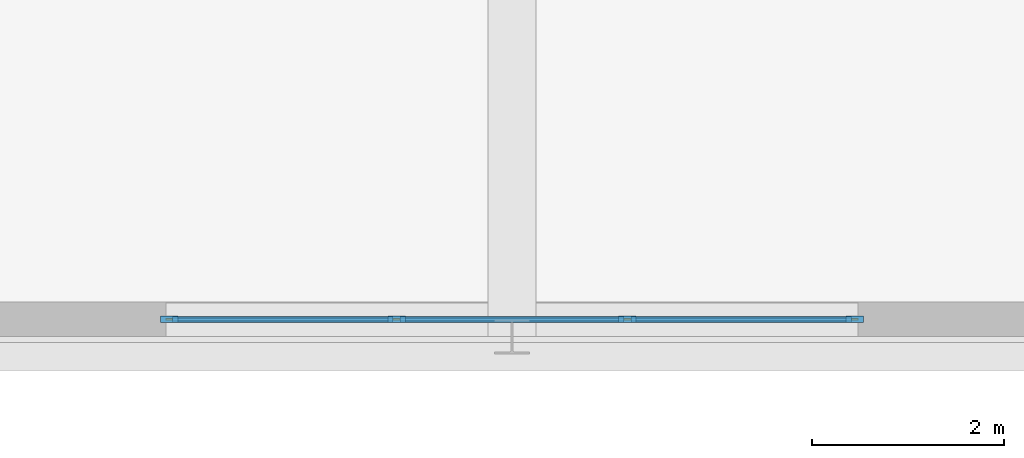
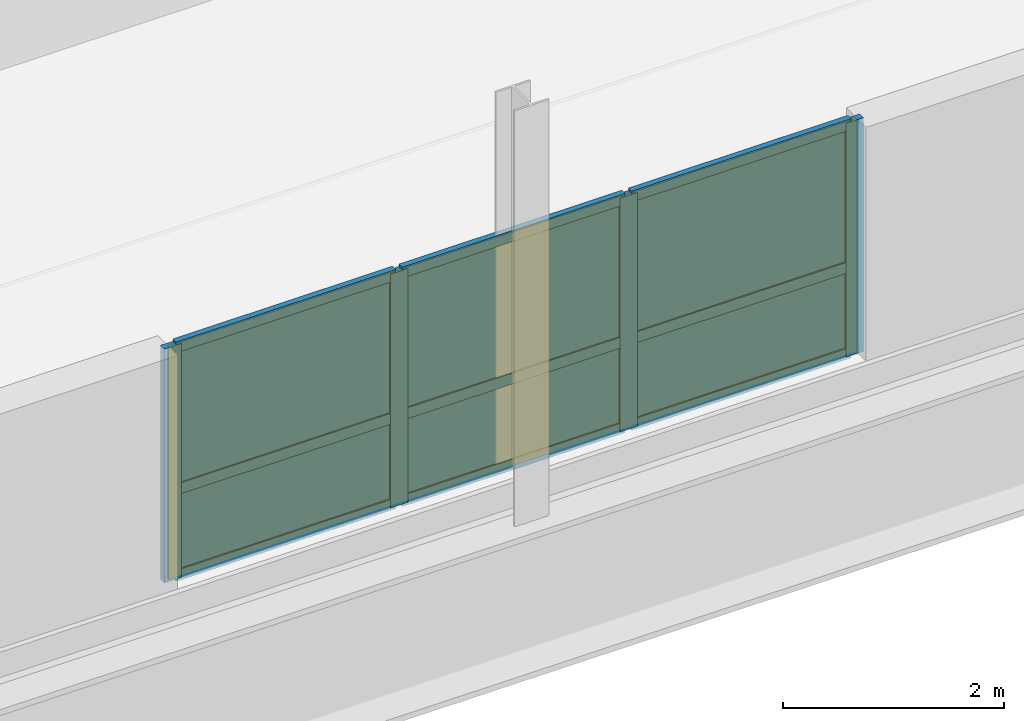
# One storey, part 10 of 17: 13 members, 6 plates, 1 curtain wall.
"""IFC4 building model written with IfcOpenShell, lengths in metres."""

from ifc_helpers import new_model, si_unit, direction, frame, frame_2d, origin, origin_2d, place, context, subcontext, project, spatial, rectangle, extrude, source, transform, mapped, material, layer, layer_set, material_profile, profile_set, type_object, type_shapes, element, aggregate, save


model = new_model("IFC4")

# Units and contexts
model_context = context("Model", 3, precision=1e-05, world=origin(), true_north=direction((0.0, 1.0)))
body_context = subcontext(model_context, "Body", "Model", "MODEL_VIEW")
ifc_project = project(units=[si_unit("LENGTHUNIT", "METRE"), si_unit("AREAUNIT", "SQUARE_METRE"), si_unit("VOLUMEUNIT", "CUBIC_METRE"), si_unit("PLANEANGLEUNIT", "RADIAN"), si_unit("MASSUNIT", "GRAM", prefix="KILO")], contexts=[model_context])

# Member
ifc_material_1 = material(Name="Anodised aluminium 6063-T6", Category="aluminium")
ifc_material_profile_1 = material_profile(ifc_material_1, rectangle(XDim=0.070068359375, YDim=0.179931640625, at=origin_2d()), Name="ALU-MULL-70x180")
ifc_profile_set_1 = profile_set([ifc_material_profile_1], Name="Anodised aluminium 6063-T6")
member_type_1 = type_object("IfcMemberType", Name="CWM-2", PredefinedType="MULLION", material=ifc_profile_set_1)
site_placement = place(None, origin())
building_placement = place(site_placement, origin())
storey_placement = place(building_placement, frame((0.0, 0.0, 18.39990234375)))
member_1_placement = place(storey_placement, frame((-3.56494140625, -25.820068359375, 0.0), z_axis=(0.0, 0.0, 1.0), x_axis=(0.0, 1.0, 0.0)))
member_1 = element("IfcMember", 1, at=member_1_placement, type_object=member_type_1, Name="CWS-2 mullion 1", PredefinedType="MULLION", context=body_context, shape_type="SweptSolid", body=[
    extrude(rectangle(XDim=0.070068359375, YDim=0.179931640625, at=origin_2d()), origin(), (0.0, 0.0, 1.0), 2.585205078125),
])

member_2_placement = place(storey_placement, frame((-1.199951171875, -25.820068359375, 0.0), z_axis=(0.0, 0.0, 1.0), x_axis=(0.0, 1.0, 0.0)))
member_2 = element("IfcMember", 2, at=member_2_placement, type_object=member_type_1, Name="CWS-2 mullion 2", PredefinedType="MULLION", context=body_context, shape_type="SweptSolid", body=[
    extrude(rectangle(XDim=0.070068359375, YDim=0.179931640625, at=origin_2d()), origin(), (0.0, 0.0, 1.0), 2.585205078125),
])

member_3_placement = place(storey_placement, frame((1.199951171875, -25.820068359375, 0.0), z_axis=(0.0, 0.0, 1.0), x_axis=(0.0, 1.0, 0.0)))
member_3 = element("IfcMember", 3, at=member_3_placement, type_object=member_type_1, Name="CWS-2 mullion 3", PredefinedType="MULLION", context=body_context, shape_type="SweptSolid", body=[
    extrude(rectangle(XDim=0.070068359375, YDim=0.179931640625, at=origin_2d()), origin(), (0.0, 0.0, 1.0), 2.585205078125),
])

member_4_placement = place(storey_placement, frame((3.56494140625, -25.820068359375, 0.0), z_axis=(0.0, 0.0, 1.0), x_axis=(0.0, 1.0, 0.0)))
member_4 = element("IfcMember", 4, at=member_4_placement, type_object=member_type_1, Name="CWS-2 mullion 4", PredefinedType="MULLION", context=body_context, shape_type="SweptSolid", body=[
    extrude(rectangle(XDim=0.070068359375, YDim=0.179931640625, at=origin_2d()), origin(), (0.0, 0.0, 1.0), 2.585205078125),
])

ifc_material_profile_2 = material_profile(ifc_material_1, rectangle(XDim=0.06005859375, YDim=0.1201171875, at=origin_2d()), Name="ALU-TRAN-60x120")
ifc_profile_set_2 = profile_set([ifc_material_profile_2], Name="Anodised aluminium 6063-T6")
member_type_2 = type_object("IfcMemberType", Name="CWT-2", PredefinedType="USERDEFINED", material=ifc_profile_set_2)
member_5_placement = place(storey_placement, frame((-3.530029296875, -25.820068359375, 0.030029296875), z_axis=(1.0, 0.0, 0.0), x_axis=(0.0, 1.0, 0.0)))
member_5 = element("IfcMember", 5, at=member_5_placement, type_object=member_type_2, Name="CWS-2 transom 1.1", ObjectType="TRANSOM", PredefinedType="USERDEFINED", context=body_context, shape_type="SweptSolid", body=[
    extrude(rectangle(XDim=0.06005859375, YDim=0.1201171875, at=origin_2d()), origin(), (0.0, 0.0, 1.0), 2.294921875),
])

member_6_placement = place(storey_placement, frame((-3.530029296875, -25.820068359375, 0.982421875), z_axis=(1.0, 0.0, 0.0), x_axis=(0.0, 1.0, 0.0)))
member_6 = element("IfcMember", 6, at=member_6_placement, type_object=member_type_2, Name="CWS-2 transom 1.2", ObjectType="TRANSOM", PredefinedType="USERDEFINED", context=body_context, shape_type="SweptSolid", body=[
    extrude(rectangle(XDim=0.06005859375, YDim=0.1201171875, at=origin_2d()), origin(), (0.0, 0.0, 1.0), 2.294921875),
])

member_7_placement = place(storey_placement, frame((-3.530029296875, -25.820068359375, 2.55517578125), z_axis=(1.0, 0.0, 0.0), x_axis=(0.0, 1.0, 0.0)))
member_7 = element("IfcMember", 7, at=member_7_placement, type_object=member_type_2, Name="CWS-2 transom 1.3", ObjectType="TRANSOM", PredefinedType="USERDEFINED", context=body_context, shape_type="SweptSolid", body=[
    extrude(rectangle(XDim=0.06005859375, YDim=0.1201171875, at=origin_2d()), origin(), (0.0, 0.0, 1.0), 2.294921875),
])

member_8_placement = place(storey_placement, frame((-1.1650390625, -25.820068359375, 0.030029296875), z_axis=(1.0, 0.0, 0.0), x_axis=(0.0, 1.0, 0.0)))
member_8 = element("IfcMember", 8, at=member_8_placement, type_object=member_type_2, Name="CWS-2 transom 2.1", ObjectType="TRANSOM", PredefinedType="USERDEFINED", context=body_context, shape_type="SweptSolid", body=[
    extrude(rectangle(XDim=0.06005859375, YDim=0.1201171875, at=origin_2d()), origin(), (0.0, 0.0, 1.0), 2.330078125),
])

member_9_placement = place(storey_placement, frame((-1.1650390625, -25.820068359375, 0.982421875), z_axis=(1.0, 0.0, 0.0), x_axis=(0.0, 1.0, 0.0)))
member_9 = element("IfcMember", 9, at=member_9_placement, type_object=member_type_2, Name="CWS-2 transom 2.2", ObjectType="TRANSOM", PredefinedType="USERDEFINED", context=body_context, shape_type="SweptSolid", body=[
    extrude(rectangle(XDim=0.06005859375, YDim=0.1201171875, at=origin_2d()), origin(), (0.0, 0.0, 1.0), 2.330078125),
])

member_10_placement = place(storey_placement, frame((-1.1650390625, -25.820068359375, 2.55517578125), z_axis=(1.0, 0.0, 0.0), x_axis=(0.0, 1.0, 0.0)))
member_10 = element("IfcMember", 10, at=member_10_placement, type_object=member_type_2, Name="CWS-2 transom 2.3", ObjectType="TRANSOM", PredefinedType="USERDEFINED", context=body_context, shape_type="SweptSolid", body=[
    extrude(rectangle(XDim=0.06005859375, YDim=0.1201171875, at=origin_2d()), origin(), (0.0, 0.0, 1.0), 2.330078125),
])

member_11_placement = place(storey_placement, frame((1.235107421875, -25.820068359375, 0.030029296875), z_axis=(1.0, 0.0, 0.0), x_axis=(0.0, 1.0, 0.0)))
member_11 = element("IfcMember", 11, at=member_11_placement, type_object=member_type_2, Name="CWS-2 transom 3.1", ObjectType="TRANSOM", PredefinedType="USERDEFINED", context=body_context, shape_type="SweptSolid", body=[
    extrude(rectangle(XDim=0.06005859375, YDim=0.1201171875, at=origin_2d()), origin(), (0.0, 0.0, 1.0), 2.294921875),
])

member_12_placement = place(storey_placement, frame((1.235107421875, -25.820068359375, 0.982421875), z_axis=(1.0, 0.0, 0.0), x_axis=(0.0, 1.0, 0.0)))
member_12 = element("IfcMember", 12, at=member_12_placement, type_object=member_type_2, Name="CWS-2 transom 3.2", ObjectType="TRANSOM", PredefinedType="USERDEFINED", context=body_context, shape_type="SweptSolid", body=[
    extrude(rectangle(XDim=0.06005859375, YDim=0.1201171875, at=origin_2d()), origin(), (0.0, 0.0, 1.0), 2.294921875),
])

member_13_placement = place(storey_placement, frame((1.235107421875, -25.820068359375, 2.55517578125), z_axis=(1.0, 0.0, 0.0), x_axis=(0.0, 1.0, 0.0)))
member_13 = element("IfcMember", 13, at=member_13_placement, type_object=member_type_2, Name="CWS-2 transom 3.3", ObjectType="TRANSOM", PredefinedType="USERDEFINED", context=body_context, shape_type="SweptSolid", body=[
    extrude(rectangle(XDim=0.06005859375, YDim=0.1201171875, at=origin_2d()), origin(), (0.0, 0.0, 1.0), 2.294921875),
])

# Plate
ifc_material_2 = material(Name="Insulated solar-control glass", Category="glass")
ifc_layer_1 = layer(ifc_material_2, 0.030029296875, Name="CWP-2")
ifc_layer_set_1 = layer_set([ifc_layer_1], Name="Insulated solar-control glass")
plate_type = type_object("IfcPlateType", Name="CWP-2", PredefinedType="CURTAIN_PANEL", material=ifc_layer_set_1)
shared_shape_1 = source(origin(), body_context, "Body", "SweptSolid", [
    extrude(rectangle(XDim=2.294921875, YDim=0.030029296875, at=origin_2d()), origin(), (0.0, 0.0, 1.0), 0.892333984375),
])
plate_1_placement = place(storey_placement, frame((-2.382568359375, -25.820068359375, 0.06005859375), z_axis=(0.0, 0.0, 1.0), x_axis=(1.0, 0.0, 0.0)))
plate_1 = element("IfcPlate", 14, at=plate_1_placement, type_object=plate_type, Name="CWS-2 panel 1.1", PredefinedType="CURTAIN_PANEL", context=body_context, shape_type="MappedRepresentation", body=[
    mapped(shared_shape_1, transform((0.0, 0.0, 0.0), scale=1.0)),
])

plate_2_placement = place(storey_placement, frame((2.382568359375, -25.820068359375, 0.06005859375), z_axis=(0.0, 0.0, 1.0), x_axis=(1.0, 0.0, 0.0)))
plate_2 = element("IfcPlate", 15, at=plate_2_placement, type_object=plate_type, Name="CWS-2 panel 3.1", PredefinedType="CURTAIN_PANEL", context=body_context, shape_type="MappedRepresentation", body=[
    mapped(shared_shape_1, transform((0.0, 0.0, 0.0), scale=1.0)),
])

shared_shape_2 = source(origin(), body_context, "Body", "SweptSolid", [
    extrude(rectangle(XDim=2.294921875, YDim=0.030029296875, at=origin_2d()), origin(), (0.0, 0.0, 1.0), 1.5126953125),
])
plate_3_placement = place(storey_placement, frame((-2.382568359375, -25.820068359375, 1.012451171875), z_axis=(0.0, 0.0, 1.0), x_axis=(1.0, 0.0, 0.0)))
plate_3 = element("IfcPlate", 16, at=plate_3_placement, type_object=plate_type, Name="CWS-2 panel 1.2", PredefinedType="CURTAIN_PANEL", context=body_context, shape_type="MappedRepresentation", body=[
    mapped(shared_shape_2, transform((0.0, 0.0, 0.0), scale=1.0)),
])

plate_4_placement = place(storey_placement, frame((2.382568359375, -25.820068359375, 1.012451171875), z_axis=(0.0, 0.0, 1.0), x_axis=(1.0, 0.0, 0.0)))
plate_4 = element("IfcPlate", 17, at=plate_4_placement, type_object=plate_type, Name="CWS-2 panel 3.2", PredefinedType="CURTAIN_PANEL", context=body_context, shape_type="MappedRepresentation", body=[
    mapped(shared_shape_2, transform((0.0, 0.0, 0.0), scale=1.0)),
])

shared_shape_3 = source(origin(), body_context, "Body", "SweptSolid", [
    extrude(rectangle(XDim=2.330078125, YDim=0.030029296875, at=origin_2d()), origin(), (0.0, 0.0, 1.0), 0.892333984375),
])
plate_5_placement = place(storey_placement, frame((0.0, -25.820068359375, 0.06005859375), z_axis=(0.0, 0.0, 1.0), x_axis=(1.0, 0.0, 0.0)))
plate_5 = element("IfcPlate", 18, at=plate_5_placement, type_object=plate_type, Name="CWS-2 panel 2.1", PredefinedType="CURTAIN_PANEL", context=body_context, shape_type="MappedRepresentation", body=[
    mapped(shared_shape_3, transform((0.0, 0.0, 0.0), scale=1.0)),
])

shared_shape_4 = source(origin(), body_context, "Body", "SweptSolid", [
    extrude(rectangle(XDim=2.330078125, YDim=0.030029296875, at=origin_2d()), origin(), (0.0, 0.0, 1.0), 1.5126953125),
])
type_shapes(plate_type, [shared_shape_1, shared_shape_2, shared_shape_3, shared_shape_4])
plate_6_placement = place(storey_placement, frame((0.0, -25.820068359375, 1.012451171875), z_axis=(0.0, 0.0, 1.0), x_axis=(1.0, 0.0, 0.0)))
plate_6 = element("IfcPlate", 19, at=plate_6_placement, type_object=plate_type, Name="CWS-2 panel 2.2", PredefinedType="CURTAIN_PANEL", context=body_context, shape_type="MappedRepresentation", body=[
    mapped(shared_shape_4, transform((0.0, 0.0, 0.0), scale=1.0)),
])

# Site, building, storey
site = spatial("IfcSite", under=ifc_project, at=site_placement, CompositionType="ELEMENT")
building = spatial("IfcBuilding", under=site, at=building_placement, Name="Nuvemarco Arch Tower", CompositionType="ELEMENT")
storey = spatial("IfcBuildingStorey", under=building, at=storey_placement, Name="L04", CompositionType="ELEMENT", Elevation=18.39990234375)

# Curtain wall
ifc_layer_2 = layer(ifc_material_2, 0.179931640625, Name="CW-SYS-2")
ifc_layer_set_2 = layer_set([ifc_layer_2], Name="Insulated solar-control glass")
curtain_wall_type = type_object("IfcCurtainWallType", Name="CW-SYS-2", PredefinedType="NOTDEFINED", material=ifc_layer_set_2)
curtain_wall_placement = place(storey_placement, frame((-3.60009765625, -25.820068359375, 0.0), z_axis=(0.0, 0.0, 1.0), x_axis=(1.0, 0.0, 0.0)))
curtain_wall = element("IfcCurtainWall", 20, at=curtain_wall_placement, inside=storey, type_object=curtain_wall_type, Name="L04 curtain wall CWS-2", PredefinedType="NOTDEFINED", context=body_context, shape_type="SweptSolid", body=[
    extrude(rectangle(XDim=7.2001953125, YDim=0.02001953125, at=frame_2d((3.60009765625, 0.0))), origin(), (0.0, 0.0, 1.0), 2.585205078125),
])

aggregate(curtain_wall, [member_1, member_2, member_3, member_4, member_5, member_6, member_7, plate_1, plate_3, member_8, member_9, member_10, plate_5, plate_6, member_11, member_12, member_13, plate_2, plate_4])

save(model, "model.ifc")
